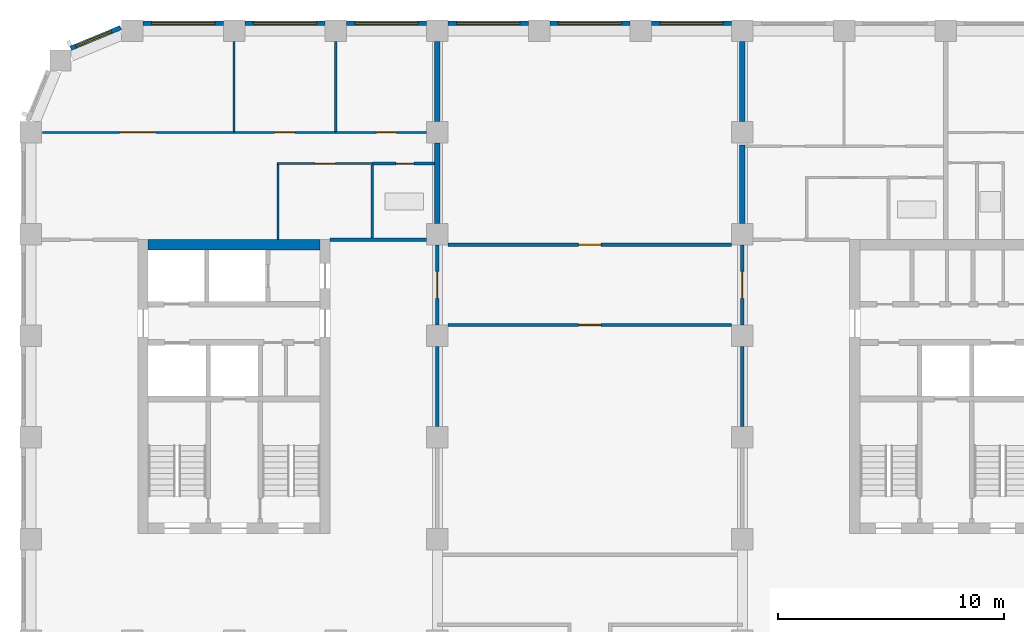
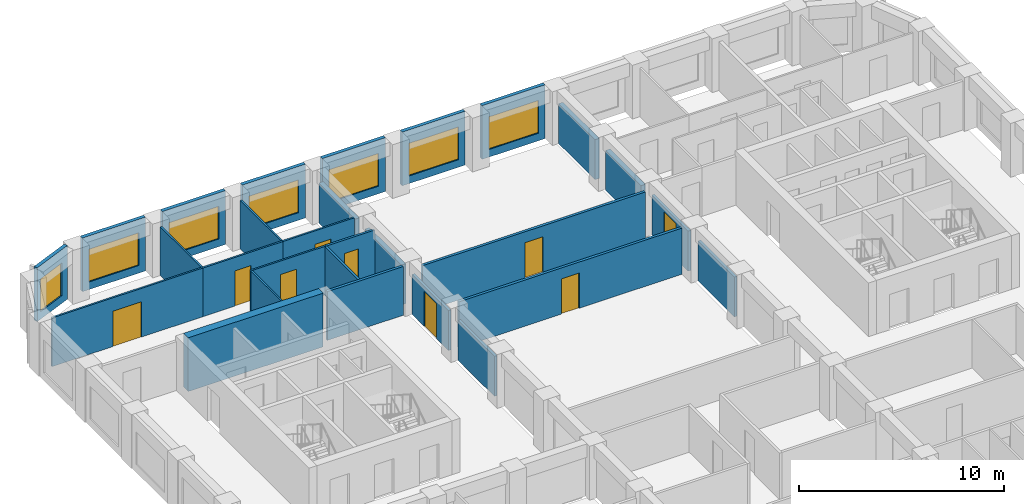
# One storey, part 7 of 12: 28 walls, 9 doors, 7 windows, 16 openings.
"""IFC4 building model written with IfcOpenShell, lengths in metres."""

from ifc_helpers import new_model, si_unit, direction, frame, frame_2d, origin, place, context, subcontext, project, spatial, rectangle, extrude, material, layer, layer_set, type_object, element, fill, save


model = new_model("IFC4")

# Units and contexts
model_context = context("Model", 3, precision=1e-05, world=origin(), true_north=direction((0.0, 1.0)))
body_context = subcontext(model_context, "Body", "Model", "MODEL_VIEW")
ifc_project = project(units=[si_unit("LENGTHUNIT", "METRE"), si_unit("AREAUNIT", "SQUARE_METRE"), si_unit("VOLUMEUNIT", "CUBIC_METRE"), si_unit("PLANEANGLEUNIT", "RADIAN"), si_unit("MASSUNIT", "GRAM", prefix="KILO")], contexts=[model_context])

# Site, building, storey
site_placement = place(None, origin())
site = spatial("IfcSite", under=ifc_project, at=site_placement, CompositionType="ELEMENT")
building_placement = place(site_placement, origin())
building = spatial("IfcBuilding", under=site, at=building_placement, Name="Girih Gate Residences", CompositionType="ELEMENT")
storey_placement = place(building_placement, frame((0.0, 0.0, 139.800048828125)))
storey = spatial("IfcBuildingStorey", under=building, at=storey_placement, Name="L39", CompositionType="ELEMENT", Elevation=139.800048828125)

# Walls
ifc_material_1 = material(Name="Gypsum board on steel studs", Category="steel")
ifc_layer_1 = layer(ifc_material_1, 0.25)
ifc_layer_set_1 = layer_set([ifc_layer_1], Name="Acoustic separating wall 250 mm")
wall_type_1 = type_object("IfcWallType", Name="Acoustic separating wall 250 mm", PredefinedType="PARTITIONING", material=ifc_layer_set_1)
for number, where, z_axis, x_axis, name in (
    (1, (18.0, 40.97509765625, 0.0), (0.0, 0.0, 1.0), (0.0, 1.0, 0.0), "L39 partition"),
    (2, (18.0, 45.47509765625, 0.0), (0.0, 0.0, 1.0), (0.0, 1.0, 0.0), "L39 partition"),
):
    element("IfcWall", number, at=place(storey_placement, frame(where, z_axis=z_axis, x_axis=x_axis)), inside=storey, type_object=wall_type_1, Name=name, PredefinedType="PARTITIONING", context=body_context, shape_type="SweptSolid", body=[
        extrude(rectangle(XDim=3.5498046875, YDim=0.25, at=frame_2d((1.77490234375, 0.0))), origin(), (0.0, 0.0, 1.0), 2.3798828125),
    ])
wall_1_placement = place(storey_placement, frame((31.5, 40.97509765625, 0.0), z_axis=(0.0, 0.0, 1.0), x_axis=(0.0, 1.0, 0.0)))
element("IfcWall", 3, at=wall_1_placement, inside=storey, type_object=wall_type_1, Name="L39 partition", PredefinedType="PARTITIONING", context=body_context, shape_type="SweptSolid", body=[
    extrude(rectangle(XDim=3.4599609375, YDim=0.25, at=frame_2d((1.72998046875, 0.0))), origin(), (0.0, 0.0, 1.0), 2.3798828125),
])
wall_2_placement = place(storey_placement, frame((31.5, 45.47509765625, 0.0), z_axis=(0.0, 0.0, 1.0), x_axis=(0.0, 1.0, 0.0)))
element("IfcWall", 4, at=wall_2_placement, inside=storey, type_object=wall_type_1, Name="L39 partition", PredefinedType="PARTITIONING", context=body_context, shape_type="SweptSolid", body=[
    extrude(rectangle(XDim=3.5498046875, YDim=0.25, at=frame_2d((1.77490234375, 0.0))), origin(), (0.0, 0.0, 1.0), 2.3798828125),
])
ifc_layer_2 = layer(ifc_material_1, 0.14990234375)
ifc_layer_set_2 = layer_set([ifc_layer_2], Name="Compartment wall 150 mm")
wall_type_2 = type_object("IfcWallType", Name="Compartment wall 150 mm", PredefinedType="PARTITIONING", material=ifc_layer_set_2)
wall_3_placement = place(storey_placement, frame((13.25, 40.25, 0.0), z_axis=(0.0, 0.0, 1.0), x_axis=(1.0, 0.0, 0.0)))
element("IfcWall", 5, at=wall_3_placement, inside=storey, type_object=wall_type_2, Name="L39 partition", PredefinedType="PARTITIONING", context=body_context, shape_type="SweptSolid", body=[
    extrude(rectangle(XDim=4.27490234375, YDim=0.14990234375, at=frame_2d((2.137451171875, 0.0))), origin(), (0.0, 0.0, 1.0), 2.89990234375),
])

# Wall, opening, door
wall_4_placement = place(storey_placement, frame((18.47509765625, 40.02490234375, 0.0), z_axis=(0.0, 0.0, 1.0), x_axis=(1.0, 0.0, 0.0)))
wall_4 = element("IfcWall", 6, at=wall_4_placement, inside=storey, type_object=wall_type_2, Name="L39 partition", PredefinedType="PARTITIONING", context=body_context, shape_type="SweptSolid", body=[
    extrude(rectangle(XDim=12.5498046875, YDim=0.14990234375, at=frame_2d((6.27490234375, 0.0))), origin(), (0.0, 0.0, 1.0), 2.75),
])
opening_1_placement = place(wall_4_placement, frame((5.77490234375, 0.0, 0.0)))
opening_1 = element("IfcOpeningElement", 7, at=opening_1_placement, cuts=wall_4, Name="Opening A39-038", PredefinedType="OPENING", context=body_context, shape_type="SweptSolid", body=[
    extrude(rectangle(XDim=1.0, YDim=2.10009765625, at=frame_2d((0.5, 1.050048828125))), frame((0.0, 0.0849609375, 0.0), z_axis=(0.0, -1.0, 0.0), x_axis=(1.0, 0.0, 0.0)), (0.0, 0.0, 1.0), 0.169921875),
])
ifc_material_2 = material(Name="Timber, fire-rated core", Category="wood")
door_type_1 = type_object("IfcDoorType", Name="Amenity room door 1000x2100 FD30S", OperationType="NOTDEFINED", PredefinedType="DOOR", material=ifc_material_2)
door_1_placement = place(opening_1_placement, origin())
door_1 = element("IfcDoor", 8, at=door_1_placement, inside=storey, type_object=door_type_1, Name="Door A39-038", OperationType="SINGLE_SWING_RIGHT", OverallHeight=2.10009765625, OverallWidth=1.0, PredefinedType="DOOR", context=body_context, shape_type="SweptSolid", body=[
    extrude(rectangle(XDim=1.0, YDim=2.10009765625, at=frame_2d((0.5, 1.050048828125))), frame((0.0, 0.02490234375, 0.0), z_axis=(0.0, -1.0, 0.0), x_axis=(1.0, 0.0, 0.0)), (0.0, 0.0, 1.0), 0.050048828125),
])
fill(opening_1, door_1)

wall_5_placement = place(storey_placement, frame((31.02490234375, 36.47509765625, 0.0), z_axis=(0.0, 0.0, 1.0), x_axis=(-1.0, 0.0, 0.0)))
wall_5 = element("IfcWall", 9, at=wall_5_placement, inside=storey, type_object=wall_type_2, Name="L39 partition", PredefinedType="PARTITIONING", context=body_context, shape_type="SweptSolid", body=[
    extrude(rectangle(XDim=12.5498046875, YDim=0.14990234375, at=frame_2d((6.27490234375, 0.0))), origin(), (0.0, 0.0, 1.0), 2.75),
])
opening_2_placement = place(wall_5_placement, frame((5.77490234375, 0.0, 0.0)))
opening_2 = element("IfcOpeningElement", 10, at=opening_2_placement, cuts=wall_5, Name="Opening A39-039", PredefinedType="OPENING", context=body_context, shape_type="SweptSolid", body=[
    extrude(rectangle(XDim=1.0, YDim=2.10009765625, at=frame_2d((0.5, 1.050048828125))), frame((0.0, 0.0849609375, 0.0), z_axis=(0.0, -1.0, 0.0), x_axis=(1.0, 0.0, 0.0)), (0.0, 0.0, 1.0), 0.169921875),
])
door_2_placement = place(opening_2_placement, origin())
door_2 = element("IfcDoor", 11, at=door_2_placement, inside=storey, type_object=door_type_1, Name="Door A39-039", OperationType="SINGLE_SWING_RIGHT", OverallHeight=2.10009765625, OverallWidth=1.0, PredefinedType="DOOR", context=body_context, shape_type="SweptSolid", body=[
    extrude(rectangle(XDim=1.0, YDim=2.10009765625, at=frame_2d((0.5, 1.050048828125))), frame((0.0, 0.02490234375, 0.0), z_axis=(0.0, -1.0, 0.0), x_axis=(1.0, 0.0, 0.0)), (0.0, 0.0, 1.0), 0.050048828125),
])
fill(opening_2, door_2)

wall_6_placement = place(storey_placement, frame((31.5, 36.47509765625, 0.0), z_axis=(0.0, 0.0, 1.0), x_axis=(0.0, 1.0, 0.0)))
wall_6 = element("IfcWall", 12, at=wall_6_placement, inside=storey, type_object=wall_type_2, Name="L39 partition", PredefinedType="PARTITIONING", context=body_context, shape_type="SweptSolid", body=[
    extrude(rectangle(XDim=3.5498046875, YDim=0.14990234375, at=frame_2d((1.77490234375, 0.0))), origin(), (0.0, 0.0, 1.0), 2.3798828125),
])
opening_3_placement = place(wall_6_placement, frame((1.175048828125, 0.0, 0.0)))
opening_3 = element("IfcOpeningElement", 13, at=opening_3_placement, cuts=wall_6, Name="Opening A39-040", PredefinedType="OPENING", context=body_context, shape_type="SweptSolid", body=[
    extrude(rectangle(XDim=1.199951171875, YDim=2.10009765625, at=frame_2d((0.60009765625, 1.050048828125))), frame((0.0, 0.0849609375, 0.0), z_axis=(0.0, -1.0, 0.0), x_axis=(1.0, 0.0, 0.0)), (0.0, 0.0, 1.0), 0.169921875),
])
door_type_2 = type_object("IfcDoorType", Name="Corridor fire door 1200x2100 FD30S", OperationType="NOTDEFINED", PredefinedType="DOOR", material=ifc_material_2)
door_3_placement = place(opening_3_placement, origin())
door_3 = element("IfcDoor", 14, at=door_3_placement, inside=storey, type_object=door_type_2, Name="Door A39-040", OperationType="SINGLE_SWING_LEFT", OverallHeight=2.10009765625, OverallWidth=1.199951171875, PredefinedType="DOOR", context=body_context, shape_type="SweptSolid", body=[
    extrude(rectangle(XDim=1.199951171875, YDim=2.10009765625, at=frame_2d((0.60009765625, 1.050048828125))), frame((0.0, 0.02490234375, 0.0), z_axis=(0.0, -1.0, 0.0), x_axis=(1.0, 0.0, 0.0)), (0.0, 0.0, 1.0), 0.050048828125),
])
fill(opening_3, door_3)

wall_7_placement = place(storey_placement, frame((18.0, 40.02490234375, 0.0), z_axis=(0.0, 0.0, 1.0), x_axis=(0.0, -1.0, 0.0)))
wall_7 = element("IfcWall", 15, at=wall_7_placement, inside=storey, type_object=wall_type_2, Name="L39 partition", PredefinedType="PARTITIONING", context=body_context, shape_type="SweptSolid", body=[
    extrude(rectangle(XDim=3.5498046875, YDim=0.14990234375, at=frame_2d((1.77490234375, 0.0))), origin(), (0.0, 0.0, 1.0), 2.3798828125),
])
opening_4_placement = place(wall_7_placement, frame((1.175048828125, 0.0, 0.0)))
opening_4 = element("IfcOpeningElement", 16, at=opening_4_placement, cuts=wall_7, Name="Opening A39-041", PredefinedType="OPENING", context=body_context, shape_type="SweptSolid", body=[
    extrude(rectangle(XDim=1.199951171875, YDim=2.10009765625, at=frame_2d((0.60009765625, 1.050048828125))), frame((0.0, 0.0849609375, 0.0), z_axis=(0.0, -1.0, 0.0), x_axis=(1.0, 0.0, 0.0)), (0.0, 0.0, 1.0), 0.169921875),
])
door_4_placement = place(opening_4_placement, origin())
door_4 = element("IfcDoor", 17, at=door_4_placement, inside=storey, type_object=door_type_2, Name="Door A39-041", OperationType="SINGLE_SWING_LEFT", OverallHeight=2.10009765625, OverallWidth=1.199951171875, PredefinedType="DOOR", context=body_context, shape_type="SweptSolid", body=[
    extrude(rectangle(XDim=1.199951171875, YDim=2.10009765625, at=frame_2d((0.60009765625, 1.050048828125))), frame((0.0, 0.02490234375, 0.0), z_axis=(0.0, -1.0, 0.0), x_axis=(1.0, 0.0, 0.0)), (0.0, 0.0, 1.0), 0.050048828125),
])
fill(opening_4, door_4)

# Walls
for number, where, z_axis, x_axis, name in (
    (18, (31.5, 31.97509765625, 0.0), (0.0, 0.0, 1.0), (0.0, 1.0, 0.0), "L39 partition"),
    (19, (18.0, 31.97509765625, 0.0), (0.0, 0.0, 1.0), (0.0, 1.0, 0.0), "L39 partition"),
):
    element("IfcWall", number, at=place(storey_placement, frame(where, z_axis=z_axis, x_axis=x_axis)), inside=storey, type_object=wall_type_2, Name=name, PredefinedType="PARTITIONING", context=body_context, shape_type="SweptSolid", body=[
        extrude(rectangle(XDim=3.5498046875, YDim=0.14990234375, at=frame_2d((1.77490234375, 0.0))), origin(), (0.0, 0.0, 1.0), 2.3798828125),
    ])
ifc_material_3 = material(Name="Concrete C60/75", Category="concrete")
ifc_layer_3 = layer(ifc_material_3, 0.449951171875)
ifc_layer_set_3 = layer_set([ifc_layer_3], Name="Core wall RC 450 Concrete C60/75")
wall_type_3 = type_object("IfcWallType", Name="Core wall RC 450 Concrete C60/75", PredefinedType="SOLIDWALL", material=ifc_layer_set_3)
wall_8_placement = place(storey_placement, frame((5.199951171875, 40.02490234375, 0.0), z_axis=(0.0, 0.0, 1.0), x_axis=(1.0, 0.0, 0.0)))
element("IfcWall", 20, at=wall_8_placement, inside=storey, type_object=wall_type_3, Name="Core wall W-N L39", PredefinedType="SOLIDWALL", context=body_context, shape_type="SweptSolid", body=[
    extrude(rectangle(XDim=7.60009765625, YDim=0.449951171875, at=frame_2d((3.800048828125, 0.0))), origin(), (0.0, 0.0, 1.0), 3.199951171875),
])
ifc_layer_4 = layer(ifc_material_1, 0.10009765625)
ifc_layer_set_4 = layer_set([ifc_layer_4], Name="Partition 100 mm")
wall_type_4 = type_object("IfcWallType", Name="Partition 100 mm", PredefinedType="PARTITIONING", material=ifc_layer_set_4)
wall_9_placement = place(storey_placement, frame((13.5, 45.050048828125, 0.0), z_axis=(0.0, 0.0, 1.0), x_axis=(0.0, 1.0, 0.0)))
element("IfcWall", 21, at=wall_9_placement, inside=storey, type_object=wall_type_4, Name="L39 partition", PredefinedType="PARTITIONING", context=body_context, shape_type="SweptSolid", body=[
    extrude(rectangle(XDim=3.974853515625, YDim=0.10009765625, at=frame_2d((1.9873046875, 0.0))), origin(), (0.0, 0.0, 1.0), 2.89990234375),
])

# Wall, opening, door
wall_10_placement = place(storey_placement, frame((9.0, 45.0, 0.0), z_axis=(0.0, 0.0, 1.0), x_axis=(1.0, 0.0, 0.0)))
wall_10 = element("IfcWall", 22, at=wall_10_placement, inside=storey, type_object=wall_type_4, Name="L39 partition", PredefinedType="PARTITIONING", context=body_context, shape_type="SweptSolid", body=[
    extrude(rectangle(XDim=4.5, YDim=0.10009765625, at=frame_2d((2.25, 0.0))), origin(), (0.0, 0.0, 1.0), 2.89990234375),
])
opening_5_placement = place(wall_10_placement, frame((1.800048828125, 0.0, 0.0)))
opening_5 = element("IfcOpeningElement", 23, at=opening_5_placement, cuts=wall_10, Name="Opening A39-011", PredefinedType="OPENING", context=body_context, shape_type="SweptSolid", body=[
    extrude(rectangle(XDim=0.89990234375, YDim=2.10009765625, at=frame_2d((0.449951171875, 1.050048828125))), frame((0.0, 0.06005859375, 0.0), z_axis=(0.0, -1.0, 0.0), x_axis=(1.0, 0.0, 0.0)), (0.0, 0.0, 1.0), 0.1201171875),
])
ifc_material_4 = material(Name="Timber", Category="wood")
door_type_3 = type_object("IfcDoorType", Name="Bedroom door 900x2100", OperationType="NOTDEFINED", PredefinedType="DOOR", material=ifc_material_4)
door_5_placement = place(opening_5_placement, origin())
door_5 = element("IfcDoor", 24, at=door_5_placement, inside=storey, type_object=door_type_3, Name="Door A39-011", OperationType="SINGLE_SWING_LEFT", OverallHeight=2.10009765625, OverallWidth=0.89990234375, PredefinedType="DOOR", context=body_context, shape_type="SweptSolid", body=[
    extrude(rectangle(XDim=0.89990234375, YDim=2.10009765625, at=frame_2d((0.449951171875, 1.050048828125))), frame((0.0, 0.02490234375, 0.0), z_axis=(0.0, -1.0, 0.0), x_axis=(1.0, 0.0, 0.0)), (0.0, 0.0, 1.0), 0.050048828125),
])
fill(opening_5, door_5)

# Wall
wall_11_placement = place(storey_placement, frame((9.0, 45.050048828125, 0.0), z_axis=(0.0, 0.0, 1.0), x_axis=(0.0, 1.0, 0.0)))
element("IfcWall", 25, at=wall_11_placement, inside=storey, type_object=wall_type_4, Name="L39 partition", PredefinedType="PARTITIONING", context=body_context, shape_type="SweptSolid", body=[
    extrude(rectangle(XDim=3.974853515625, YDim=0.10009765625, at=frame_2d((1.9873046875, 0.0))), origin(), (0.0, 0.0, 1.0), 2.89990234375),
])

# Wall, opening, door
wall_12_placement = place(storey_placement, frame((13.5, 45.0, 0.0), z_axis=(0.0, 0.0, 1.0), x_axis=(1.0, 0.0, 0.0)))
wall_12 = element("IfcWall", 26, at=wall_12_placement, inside=storey, type_object=wall_type_4, Name="L39 partition", PredefinedType="PARTITIONING", context=body_context, shape_type="SweptSolid", body=[
    extrude(rectangle(XDim=4.02490234375, YDim=0.10009765625, at=frame_2d((2.012451171875, 0.0))), origin(), (0.0, 0.0, 1.0), 2.89990234375),
])
opening_6_placement = place(wall_12_placement, frame((1.800048828125, 0.0, 0.0)))
opening_6 = element("IfcOpeningElement", 27, at=opening_6_placement, cuts=wall_12, Name="Opening A39-012", PredefinedType="OPENING", context=body_context, shape_type="SweptSolid", body=[
    extrude(rectangle(XDim=0.89990234375, YDim=2.10009765625, at=frame_2d((0.449951171875, 1.050048828125))), frame((0.0, 0.06005859375, 0.0), z_axis=(0.0, -1.0, 0.0), x_axis=(1.0, 0.0, 0.0)), (0.0, 0.0, 1.0), 0.1201171875),
])
door_6_placement = place(opening_6_placement, origin())
door_6 = element("IfcDoor", 28, at=door_6_placement, inside=storey, type_object=door_type_3, Name="Door A39-012", OperationType="SINGLE_SWING_RIGHT", OverallHeight=2.10009765625, OverallWidth=0.89990234375, PredefinedType="DOOR", context=body_context, shape_type="SweptSolid", body=[
    extrude(rectangle(XDim=0.89990234375, YDim=2.10009765625, at=frame_2d((0.449951171875, 1.050048828125))), frame((0.0, 0.02490234375, 0.0), z_axis=(0.0, -1.0, 0.0), x_axis=(1.0, 0.0, 0.0)), (0.0, 0.0, 1.0), 0.050048828125),
])
fill(opening_6, door_6)

wall_13_placement = place(storey_placement, frame((15.119384765625, 43.6201171875, 0.0), z_axis=(0.0, 0.0, 1.0), x_axis=(-1.0, 0.0, 0.0)))
wall_13 = element("IfcWall", 29, at=wall_13_placement, inside=storey, type_object=wall_type_4, Name="L39 partition", PredefinedType="PARTITIONING", context=body_context, shape_type="SweptSolid", body=[
    extrude(rectangle(XDim=4.219482421875, YDim=0.10009765625, at=frame_2d((2.10986328125, 0.0))), origin(), (0.0, 0.0, 1.0), 2.89990234375),
])
opening_7_placement = place(wall_13_placement, frame((1.634765625, 0.0, 0.0)))
opening_7 = element("IfcOpeningElement", 30, at=opening_7_placement, cuts=wall_13, Name="Opening A39-013", PredefinedType="OPENING", context=body_context, shape_type="SweptSolid", body=[
    extrude(rectangle(XDim=0.89990234375, YDim=2.10009765625, at=frame_2d((0.449951171875, 1.050048828125))), frame((0.0, 0.06005859375, 0.0), z_axis=(0.0, -1.0, 0.0), x_axis=(1.0, 0.0, 0.0)), (0.0, 0.0, 1.0), 0.1201171875),
])
door_type_4 = type_object("IfcDoorType", Name="Kitchen door 900x2100", OperationType="NOTDEFINED", PredefinedType="DOOR", material=ifc_material_4)
door_7_placement = place(opening_7_placement, origin())
door_7 = element("IfcDoor", 31, at=door_7_placement, inside=storey, type_object=door_type_4, Name="Door A39-013", OperationType="SINGLE_SWING_LEFT", OverallHeight=2.10009765625, OverallWidth=0.89990234375, PredefinedType="DOOR", context=body_context, shape_type="SweptSolid", body=[
    extrude(rectangle(XDim=0.89990234375, YDim=2.10009765625, at=frame_2d((0.449951171875, 1.050048828125))), frame((0.0, 0.02490234375, 0.0), z_axis=(0.0, -1.0, 0.0), x_axis=(1.0, 0.0, 0.0)), (0.0, 0.0, 1.0), 0.050048828125),
])
fill(opening_7, door_7)

# Wall
wall_14_placement = place(storey_placement, frame((10.949951171875, 40.25, 0.0), z_axis=(0.0, 0.0, 1.0), x_axis=(0.0, 1.0, 0.0)))
element("IfcWall", 32, at=wall_14_placement, inside=storey, type_object=wall_type_4, Name="L39 partition", PredefinedType="PARTITIONING", context=body_context, shape_type="SweptSolid", body=[
    extrude(rectangle(XDim=3.320068359375, YDim=0.10009765625, at=frame_2d((1.66015625, 0.0))), origin(), (0.0, 0.0, 1.0), 2.89990234375),
])

# Wall, opening, door
wall_15_placement = place(storey_placement, frame((0.51416015625, 45.0, 0.0), z_axis=(0.0, 0.0, 1.0), x_axis=(1.0, 0.0, 0.0)))
wall_15 = element("IfcWall", 33, at=wall_15_placement, inside=storey, type_object=wall_type_4, Name="L39 partition", PredefinedType="PARTITIONING", context=body_context, shape_type="SweptSolid", body=[
    extrude(rectangle(XDim=8.48583984375, YDim=0.10009765625, at=frame_2d((4.242919921875, 0.0))), origin(), (0.0, 0.0, 1.0), 2.89990234375),
])
opening_8_placement = place(wall_15_placement, frame((3.42333984375, 0.0, 0.0)))
opening_8 = element("IfcOpeningElement", 34, at=opening_8_placement, cuts=wall_15, Name="Opening A39-014", PredefinedType="OPENING", context=body_context, shape_type="SweptSolid", body=[
    extrude(rectangle(XDim=1.60009765625, YDim=2.10009765625, at=frame_2d((0.800048828125, 1.050048828125))), frame((0.0, 0.06005859375, 0.0), z_axis=(0.0, -1.0, 0.0), x_axis=(1.0, 0.0, 0.0)), (0.0, 0.0, 1.0), 0.1201171875),
])
door_type_5 = type_object("IfcDoorType", Name="Double leaf door 1600x2100", OperationType="NOTDEFINED", PredefinedType="DOOR", material=ifc_material_4)
door_8_placement = place(opening_8_placement, origin())
door_8 = element("IfcDoor", 35, at=door_8_placement, inside=storey, type_object=door_type_5, Name="Door A39-014", OperationType="SINGLE_SWING_LEFT", OverallHeight=2.10009765625, OverallWidth=1.60009765625, PredefinedType="DOOR", context=body_context, shape_type="SweptSolid", body=[
    extrude(rectangle(XDim=1.60009765625, YDim=2.10009765625, at=frame_2d((0.800048828125, 1.050048828125))), frame((0.0, 0.02490234375, 0.0), z_axis=(0.0, -1.0, 0.0), x_axis=(1.0, 0.0, 0.0)), (0.0, 0.0, 1.0), 0.050048828125),
])
fill(opening_8, door_8)

# Wall, opening, window
ifc_material_5 = material(Name="Precast concrete C50/60", Category="concrete")
ifc_layer_5 = layer(ifc_material_5, 0.06005859375, Name="Outer leaf")
ifc_material_6 = material(Name="Rigid PIR insulation")
ifc_layer_6 = layer(ifc_material_6, 0.090087890625, Name="Insulation")
ifc_material_7 = material(Name="Precast concrete C40/50", Category="concrete")
ifc_layer_7 = layer(ifc_material_7, 0.050048828125, Name="Inner leaf")
ifc_layer_set_5 = layer_set([ifc_layer_5, ifc_layer_6, ifc_layer_7], Name="Precast concrete C50/60 external wall 200")
wall_type_5 = type_object("IfcWallType", Name="Precast concrete C50/60 external wall 200", PredefinedType="SOLIDWALL", material=ifc_layer_set_5)
wall_16_placement = place(storey_placement, frame((27.47509765625, 49.824951171875, 0.0), z_axis=(0.0, 0.0, 1.0), x_axis=(1.0, 0.0, 0.0)))
wall_16 = element("IfcWall", 36, at=wall_16_placement, inside=storey, type_object=wall_type_5, Name="External wall N0450_0495.3", PredefinedType="SOLIDWALL", context=body_context, shape_type="SweptSolid", body=[
    extrude(rectangle(XDim=3.5498046875, YDim=0.199951171875, at=frame_2d((1.77490234375, 0.0))), origin(), (0.0, 0.0, 1.0), 3.199951171875),
])
opening_9_placement = place(wall_16_placement, frame((0.375, 0.0, 0.449951171875)))
opening_9 = element("IfcOpeningElement", 37, at=opening_9_placement, cuts=wall_16, Name="Opening W-1B", PredefinedType="OPENING", context=body_context, shape_type="SweptSolid", body=[
    extrude(rectangle(XDim=2.800048828125, YDim=1.949951171875, at=frame_2d((1.39990234375, 0.97509765625))), frame((0.0, 0.10986328125, 0.0), z_axis=(0.0, -1.0, 0.0), x_axis=(1.0, 0.0, 0.0)), (0.0, 0.0, 1.0), 0.219970703125),
])
ifc_material_8 = material(Name="Double glazing in aluminium frame", Category="aluminium")
window_type_1 = type_object("IfcWindowType", Name="Window W-1B 2800x1950", PartitioningType="SINGLE_PANEL", PredefinedType="WINDOW", material=ifc_material_8)
window_1_placement = place(opening_9_placement, origin())
window_1 = element("IfcWindow", 38, at=window_1_placement, inside=storey, type_object=window_type_1, Name="Window W-1B N0450_0495.3", OverallHeight=1.949951171875, OverallWidth=2.800048828125, PartitioningType="SINGLE_PANEL", PredefinedType="WINDOW", context=body_context, shape_type="SweptSolid", body=[
    extrude(rectangle(XDim=2.800048828125, YDim=1.949951171875, at=frame_2d((1.39990234375, 0.97509765625))), frame((0.0, 0.030029296875, 0.0), z_axis=(0.0, -1.0, 0.0), x_axis=(1.0, 0.0, 0.0)), (0.0, 0.0, 1.0), 0.06005859375),
])
fill(opening_9, window_1)

wall_17_placement = place(storey_placement, frame((22.97509765625, 49.824951171875, 0.0), z_axis=(0.0, 0.0, 1.0), x_axis=(1.0, 0.0, 0.0)))
wall_17 = element("IfcWall", 39, at=wall_17_placement, inside=storey, type_object=wall_type_5, Name="External wall N0450_0495.4", PredefinedType="SOLIDWALL", context=body_context, shape_type="SweptSolid", body=[
    extrude(rectangle(XDim=3.5498046875, YDim=0.199951171875, at=frame_2d((1.77490234375, 0.0))), origin(), (0.0, 0.0, 1.0), 3.199951171875),
])
opening_10_placement = place(wall_17_placement, frame((0.375, 0.0, 0.449951171875)))
opening_10 = element("IfcOpeningElement", 40, at=opening_10_placement, cuts=wall_17, Name="Opening W-1B", PredefinedType="OPENING", context=body_context, shape_type="SweptSolid", body=[
    extrude(rectangle(XDim=2.800048828125, YDim=1.949951171875, at=frame_2d((1.39990234375, 0.97509765625))), frame((0.0, 0.10986328125, 0.0), z_axis=(0.0, -1.0, 0.0), x_axis=(1.0, 0.0, 0.0)), (0.0, 0.0, 1.0), 0.219970703125),
])
window_2_placement = place(opening_10_placement, origin())
window_2 = element("IfcWindow", 41, at=window_2_placement, inside=storey, type_object=window_type_1, Name="Window W-1B N0450_0495.4", OverallHeight=1.949951171875, OverallWidth=2.800048828125, PartitioningType="SINGLE_PANEL", PredefinedType="WINDOW", context=body_context, shape_type="SweptSolid", body=[
    extrude(rectangle(XDim=2.800048828125, YDim=1.949951171875, at=frame_2d((1.39990234375, 0.97509765625))), frame((0.0, 0.030029296875, 0.0), z_axis=(0.0, -1.0, 0.0), x_axis=(1.0, 0.0, 0.0)), (0.0, 0.0, 1.0), 0.06005859375),
])
fill(opening_10, window_2)

wall_18_placement = place(storey_placement, frame((18.47509765625, 49.824951171875, 0.0), z_axis=(0.0, 0.0, 1.0), x_axis=(1.0, 0.0, 0.0)))
wall_18 = element("IfcWall", 42, at=wall_18_placement, inside=storey, type_object=wall_type_5, Name="External wall N0450_0495.5", PredefinedType="SOLIDWALL", context=body_context, shape_type="SweptSolid", body=[
    extrude(rectangle(XDim=3.5498046875, YDim=0.199951171875, at=frame_2d((1.77490234375, 0.0))), origin(), (0.0, 0.0, 1.0), 3.199951171875),
])
opening_11_placement = place(wall_18_placement, frame((0.375, 0.0, 0.449951171875)))
opening_11 = element("IfcOpeningElement", 43, at=opening_11_placement, cuts=wall_18, Name="Opening W-1B", PredefinedType="OPENING", context=body_context, shape_type="SweptSolid", body=[
    extrude(rectangle(XDim=2.800048828125, YDim=1.949951171875, at=frame_2d((1.39990234375, 0.97509765625))), frame((0.0, 0.10986328125, 0.0), z_axis=(0.0, -1.0, 0.0), x_axis=(1.0, 0.0, 0.0)), (0.0, 0.0, 1.0), 0.219970703125),
])
window_3_placement = place(opening_11_placement, origin())
window_3 = element("IfcWindow", 44, at=window_3_placement, inside=storey, type_object=window_type_1, Name="Window W-1B N0450_0495.5", OverallHeight=1.949951171875, OverallWidth=2.800048828125, PartitioningType="SINGLE_PANEL", PredefinedType="WINDOW", context=body_context, shape_type="SweptSolid", body=[
    extrude(rectangle(XDim=2.800048828125, YDim=1.949951171875, at=frame_2d((1.39990234375, 0.97509765625))), frame((0.0, 0.030029296875, 0.0), z_axis=(0.0, -1.0, 0.0), x_axis=(1.0, 0.0, 0.0)), (0.0, 0.0, 1.0), 0.06005859375),
])
fill(opening_11, window_3)

wall_19_placement = place(storey_placement, frame((13.97509765625, 49.824951171875, 0.0), z_axis=(0.0, 0.0, 1.0), x_axis=(1.0, 0.0, 0.0)))
wall_19 = element("IfcWall", 45, at=wall_19_placement, inside=storey, type_object=wall_type_5, Name="External wall N0450_0495.6", PredefinedType="SOLIDWALL", context=body_context, shape_type="SweptSolid", body=[
    extrude(rectangle(XDim=3.5498046875, YDim=0.199951171875, at=frame_2d((1.77490234375, 0.0))), origin(), (0.0, 0.0, 1.0), 3.199951171875),
])
opening_12_placement = place(wall_19_placement, frame((0.375, 0.0, 0.449951171875)))
opening_12 = element("IfcOpeningElement", 46, at=opening_12_placement, cuts=wall_19, Name="Opening W-1B", PredefinedType="OPENING", context=body_context, shape_type="SweptSolid", body=[
    extrude(rectangle(XDim=2.800048828125, YDim=1.949951171875, at=frame_2d((1.39990234375, 0.97509765625))), frame((0.0, 0.10986328125, 0.0), z_axis=(0.0, -1.0, 0.0), x_axis=(1.0, 0.0, 0.0)), (0.0, 0.0, 1.0), 0.219970703125),
])
window_4_placement = place(opening_12_placement, origin())
window_4 = element("IfcWindow", 47, at=window_4_placement, inside=storey, type_object=window_type_1, Name="Window W-1B N0450_0495.6", OverallHeight=1.949951171875, OverallWidth=2.800048828125, PartitioningType="SINGLE_PANEL", PredefinedType="WINDOW", context=body_context, shape_type="SweptSolid", body=[
    extrude(rectangle(XDim=2.800048828125, YDim=1.949951171875, at=frame_2d((1.39990234375, 0.97509765625))), frame((0.0, 0.030029296875, 0.0), z_axis=(0.0, -1.0, 0.0), x_axis=(1.0, 0.0, 0.0)), (0.0, 0.0, 1.0), 0.06005859375),
])
fill(opening_12, window_4)

wall_20_placement = place(storey_placement, frame((9.47509765625, 49.824951171875, 0.0), z_axis=(0.0, 0.0, 1.0), x_axis=(1.0, 0.0, 0.0)))
wall_20 = element("IfcWall", 48, at=wall_20_placement, inside=storey, type_object=wall_type_5, Name="External wall N0450_0495.7", PredefinedType="SOLIDWALL", context=body_context, shape_type="SweptSolid", body=[
    extrude(rectangle(XDim=3.5498046875, YDim=0.199951171875, at=frame_2d((1.77490234375, 0.0))), origin(), (0.0, 0.0, 1.0), 3.199951171875),
])
opening_13_placement = place(wall_20_placement, frame((0.375, 0.0, 0.449951171875)))
opening_13 = element("IfcOpeningElement", 49, at=opening_13_placement, cuts=wall_20, Name="Opening W-1B", PredefinedType="OPENING", context=body_context, shape_type="SweptSolid", body=[
    extrude(rectangle(XDim=2.800048828125, YDim=1.949951171875, at=frame_2d((1.39990234375, 0.97509765625))), frame((0.0, 0.10986328125, 0.0), z_axis=(0.0, -1.0, 0.0), x_axis=(1.0, 0.0, 0.0)), (0.0, 0.0, 1.0), 0.219970703125),
])
window_5_placement = place(opening_13_placement, origin())
window_5 = element("IfcWindow", 50, at=window_5_placement, inside=storey, type_object=window_type_1, Name="Window W-1B N0450_0495.7", OverallHeight=1.949951171875, OverallWidth=2.800048828125, PartitioningType="SINGLE_PANEL", PredefinedType="WINDOW", context=body_context, shape_type="SweptSolid", body=[
    extrude(rectangle(XDim=2.800048828125, YDim=1.949951171875, at=frame_2d((1.39990234375, 0.97509765625))), frame((0.0, 0.030029296875, 0.0), z_axis=(0.0, -1.0, 0.0), x_axis=(1.0, 0.0, 0.0)), (0.0, 0.0, 1.0), 0.06005859375),
])
fill(opening_13, window_5)

wall_21_placement = place(storey_placement, frame((4.97509765625, 49.824951171875, 0.0), z_axis=(0.0, 0.0, 1.0), x_axis=(1.0, 0.0, 0.0)))
wall_21 = element("IfcWall", 51, at=wall_21_placement, inside=storey, type_object=wall_type_5, Name="External wall N0450_0495.8", PredefinedType="SOLIDWALL", context=body_context, shape_type="SweptSolid", body=[
    extrude(rectangle(XDim=3.5498046875, YDim=0.199951171875, at=frame_2d((1.77490234375, 0.0))), origin(), (0.0, 0.0, 1.0), 3.199951171875),
])
opening_14_placement = place(wall_21_placement, frame((0.375, 0.0, 0.449951171875)))
opening_14 = element("IfcOpeningElement", 52, at=opening_14_placement, cuts=wall_21, Name="Opening W-1B", PredefinedType="OPENING", context=body_context, shape_type="SweptSolid", body=[
    extrude(rectangle(XDim=2.800048828125, YDim=1.949951171875, at=frame_2d((1.39990234375, 0.97509765625))), frame((0.0, 0.10986328125, 0.0), z_axis=(0.0, -1.0, 0.0), x_axis=(1.0, 0.0, 0.0)), (0.0, 0.0, 1.0), 0.219970703125),
])
window_6_placement = place(opening_14_placement, origin())
window_6 = element("IfcWindow", 53, at=window_6_placement, inside=storey, type_object=window_type_1, Name="Window W-1B N0450_0495.8", OverallHeight=1.949951171875, OverallWidth=2.800048828125, PartitioningType="SINGLE_PANEL", PredefinedType="WINDOW", context=body_context, shape_type="SweptSolid", body=[
    extrude(rectangle(XDim=2.800048828125, YDim=1.949951171875, at=frame_2d((1.39990234375, 0.97509765625))), frame((0.0, 0.030029296875, 0.0), z_axis=(0.0, -1.0, 0.0), x_axis=(1.0, 0.0, 0.0)), (0.0, 0.0, 1.0), 0.06005859375),
])
fill(opening_14, window_6)

wall_22_placement = place(storey_placement, frame((1.76708984375, 48.7197265625, 0.0), z_axis=(0.0, 0.0, 1.0), x_axis=(0.923880599843, 0.382680855588, 0.0)))
wall_22 = element("IfcWall", 54, at=wall_22_placement, inside=storey, type_object=wall_type_5, Name="External wall NW0045_0495.0", PredefinedType="SOLIDWALL", context=body_context, shape_type="SweptSolid", body=[
    extrude(rectangle(XDim=2.402587890625, YDim=0.199951171875, at=frame_2d((1.201171875, 0.0))), origin(), (0.0, 0.0, 1.0), 3.199951171875),
])
opening_15_placement = place(wall_22_placement, frame((0.25146484375, 0.0, 0.449951171875)))
opening_15 = element("IfcOpeningElement", 55, at=opening_15_placement, cuts=wall_22, Name="Opening W-2E", PredefinedType="OPENING", context=body_context, shape_type="SweptSolid", body=[
    extrude(rectangle(XDim=1.699951171875, YDim=1.949951171875, at=frame_2d((0.85009765625, 0.97509765625))), frame((0.0, 0.10986328125, 0.0), z_axis=(0.0, -1.0, 0.0), x_axis=(1.0, 0.0, 0.0)), (0.0, 0.0, 1.0), 0.219970703125),
])
window_type_2 = type_object("IfcWindowType", Name="Window W-2E 1700x1950", PartitioningType="SINGLE_PANEL", PredefinedType="WINDOW", material=ifc_material_8)
window_7_placement = place(opening_15_placement, origin())
window_7 = element("IfcWindow", 56, at=window_7_placement, inside=storey, type_object=window_type_2, Name="Window W-2E NW0045_0495.0", OverallHeight=1.949951171875, OverallWidth=1.699951171875, PartitioningType="SINGLE_PANEL", PredefinedType="WINDOW", context=body_context, shape_type="SweptSolid", body=[
    extrude(rectangle(XDim=1.699951171875, YDim=1.949951171875, at=frame_2d((0.85009765625, 0.97509765625))), frame((0.0, 0.030029296875, 0.0), z_axis=(0.0, -1.0, 0.0), x_axis=(1.0, 0.0, 0.0)), (0.0, 0.0, 1.0), 0.06005859375),
])
fill(opening_15, window_7)

# Wall, opening, door
ifc_layer_8 = layer(ifc_material_1, 0.125)
ifc_layer_set_6 = layer_set([ifc_layer_8], Name="Wet room wall 125 mm")
wall_type_6 = type_object("IfcWallType", Name="Wet room wall 125 mm", PredefinedType="PARTITIONING", material=ifc_layer_set_6)
wall_23_placement = place(storey_placement, frame((17.875, 43.6201171875, 0.0), z_axis=(0.0, 0.0, 1.0), x_axis=(-1.0, 0.0, 0.0)))
wall_23 = element("IfcWall", 57, at=wall_23_placement, inside=storey, type_object=wall_type_6, Name="L39 partition", PredefinedType="PARTITIONING", context=body_context, shape_type="SweptSolid", body=[
    extrude(rectangle(XDim=2.755615234375, YDim=0.125, at=frame_2d((1.3779296875, 0.0))), origin(), (0.0, 0.0, 1.0), 2.89990234375),
])
opening_16_placement = place(wall_23_placement, frame((0.915283203125, 0.0, 0.0)))
opening_16 = element("IfcOpeningElement", 58, at=opening_16_placement, cuts=wall_23, Name="Opening A39-010", PredefinedType="OPENING", context=body_context, shape_type="SweptSolid", body=[
    extrude(rectangle(XDim=0.800048828125, YDim=2.10009765625, at=frame_2d((0.39990234375, 1.050048828125))), frame((0.0, 0.072509765625, 0.0), z_axis=(0.0, -1.0, 0.0), x_axis=(1.0, 0.0, 0.0)), (0.0, 0.0, 1.0), 0.14501953125),
])
door_type_6 = type_object("IfcDoorType", Name="Bathroom door 800x2100", OperationType="NOTDEFINED", PredefinedType="DOOR", material=ifc_material_4)
door_9_placement = place(opening_16_placement, origin())
door_9 = element("IfcDoor", 59, at=door_9_placement, inside=storey, type_object=door_type_6, Name="Door A39-010", OperationType="SINGLE_SWING_LEFT", OverallHeight=2.10009765625, OverallWidth=0.800048828125, PredefinedType="DOOR", context=body_context, shape_type="SweptSolid", body=[
    extrude(rectangle(XDim=0.800048828125, YDim=2.10009765625, at=frame_2d((0.39990234375, 1.050048828125))), frame((0.0, 0.02490234375, 0.0), z_axis=(0.0, -1.0, 0.0), x_axis=(1.0, 0.0, 0.0)), (0.0, 0.0, 1.0), 0.050048828125),
])
fill(opening_16, door_9)

# Wall
wall_24_placement = place(storey_placement, frame((15.118896484375, 40.324951171875, 0.0), z_axis=(0.0, 0.0, 1.0), x_axis=(0.0, 1.0, 0.0)))
element("IfcWall", 60, at=wall_24_placement, inside=storey, type_object=wall_type_6, Name="L39 partition", PredefinedType="PARTITIONING", context=body_context, shape_type="SweptSolid", body=[
    extrude(rectangle(XDim=3.232666015625, YDim=0.125, at=frame_2d((1.6162109375, 0.0))), origin(), (0.0, 0.0, 1.0), 2.89990234375),
])

save(model, "model.ifc")
